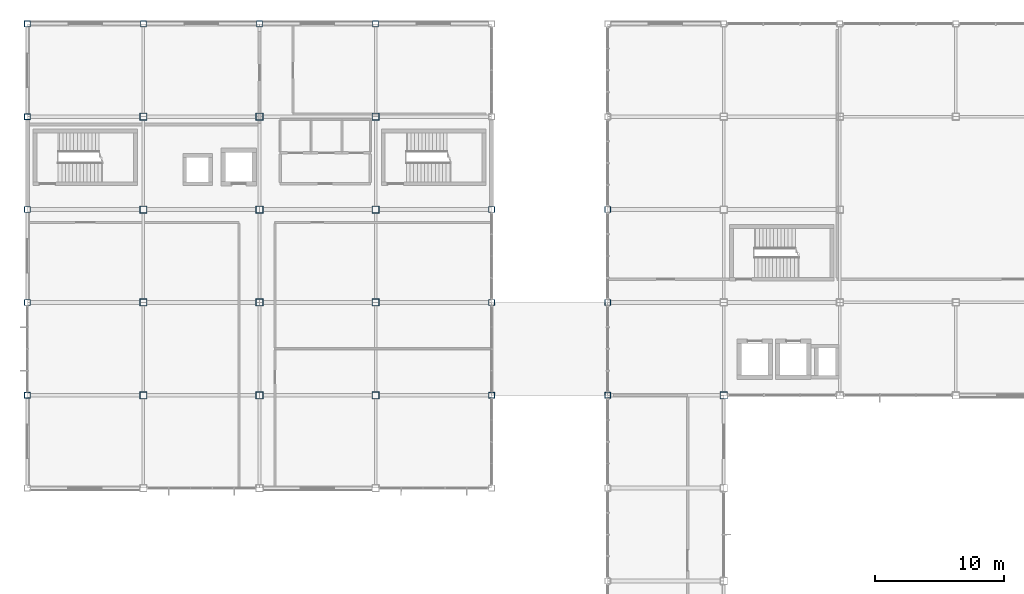
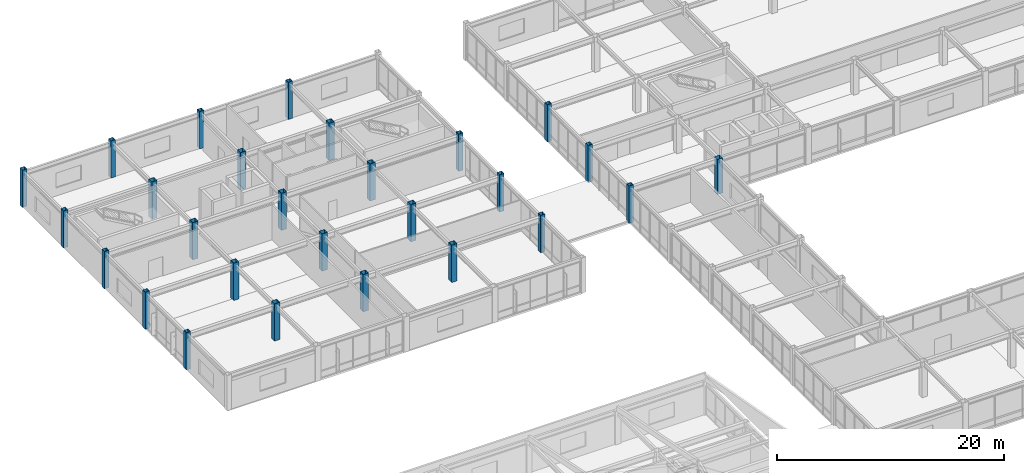
# One storey, part 7 of 113: 27 columns.
"""IFC4 building model written with IfcOpenShell, lengths in metres."""

from ifc_helpers import new_model, si_unit, direction, frame, origin, origin_2d, place, context, subcontext, project, spatial, hollow_rectangle, extrude, material, material_profile, profile_set, type_object, element, save


model = new_model("IFC4")

# Units and contexts
model_context = context("Model", 3, precision=1e-05, world=origin(), true_north=direction((0.0, 1.0)))
body_context = subcontext(model_context, "Body", "Model", "MODEL_VIEW")
ifc_project = project(units=[si_unit("LENGTHUNIT", "METRE"), si_unit("AREAUNIT", "SQUARE_METRE"), si_unit("VOLUMEUNIT", "CUBIC_METRE"), si_unit("PLANEANGLEUNIT", "RADIAN"), si_unit("MASSUNIT", "GRAM", prefix="KILO")], contexts=[model_context])

# Site, building, storey
site_placement = place(None, origin())
site = spatial("IfcSite", under=ifc_project, at=site_placement, CompositionType="ELEMENT")
building_placement = place(site_placement, origin())
building = spatial("IfcBuilding", under=site, at=building_placement, Name="Kazanami Central Library", CompositionType="ELEMENT")
storey_placement = place(building_placement, frame((0.0, 0.0, 8.800048828125)))
storey = spatial("IfcBuildingStorey", under=building, at=storey_placement, Name="L03", CompositionType="ELEMENT", Elevation=8.800048828125)

# Columns
ifc_material = material(Name="Steel BCP325 (325 MPa)", Category="steel")
ifc_material_profile_1 = material_profile(ifc_material, hollow_rectangle(XDim=0.449951171875, YDim=0.449951171875, WallThickness=0.01904296875, at=origin_2d()), Name="BCP-450x450x19")
ifc_profile_set_1 = profile_set([ifc_material_profile_1], Name="Steel BCP325 (325 MPa)")
column_type_1 = type_object("IfcColumnType", Name="COL-C-P2E", PredefinedType="COLUMN", material=ifc_profile_set_1)
for number, where, z_axis, x_axis, name in (
    (1, (0.0, 64.800048828125, 0.0), (0.0, 0.0, 1.0), (1.0, 0.0, 0.0), "Column C-P2E L03 1/K"),
    (2, (0.0, 72.0, 0.0), (0.0, 0.0, 1.0), (1.0, 0.0, 0.0), "Column C-P2E L03 1/L"),
    (3, (0.0, 79.199951171875, 0.0), (0.0, 0.0, 1.0), (1.0, 0.0, 0.0), "Column C-P2E L03 1/M"),
    (4, (0.0, 86.39990234375, 0.0), (0.0, 0.0, 1.0), (1.0, 0.0, 0.0), "Column C-P2E L03 1/N"),
    (5, (0.0, 93.60009765625, 0.0), (0.0, 0.0, 1.0), (1.0, 0.0, 0.0), "Column C-P2E L03 1/O"),
    (6, (9.0, 93.60009765625, 0.0), (0.0, 0.0, 1.0), (1.0, 0.0, 0.0), "Column C-P2E L03 2/O"),
    (7, (18.0, 93.60009765625, 0.0), (0.0, 0.0, 1.0), (1.0, 0.0, 0.0), "Column C-P2E L03 3/O"),
    (8, (27.0, 93.60009765625, 0.0), (0.0, 0.0, 1.0), (1.0, 0.0, 0.0), "Column C-P2E L03 4/O"),
    (9, (36.0, 64.800048828125, 0.0), (0.0, 0.0, 1.0), (1.0, 0.0, 0.0), "Column C-P2E L03 5/K"),
    (10, (36.0, 72.0, 0.0), (0.0, 0.0, 1.0), (1.0, 0.0, 0.0), "Column C-P2E L03 5/L"),
    (11, (36.0, 79.199951171875, 0.0), (0.0, 0.0, 1.0), (1.0, 0.0, 0.0), "Column C-P2E L03 5/M"),
    (12, (45.0, 64.800048828125, 0.0), (0.0, 0.0, 1.0), (1.0, 0.0, 0.0), "Column C-P2E L03 6/K"),
    (13, (45.0, 72.0, 0.0), (0.0, 0.0, 1.0), (1.0, 0.0, 0.0), "Column C-P2E L03 6/L"),
    (14, (45.0, 79.199951171875, 0.0), (0.0, 0.0, 1.0), (1.0, 0.0, 0.0), "Column C-P2E L03 6/M"),
):
    element("IfcColumn", number, at=place(storey_placement, frame(where, z_axis=z_axis, x_axis=x_axis)), inside=storey, type_object=column_type_1, Name=name, PredefinedType="COLUMN", context=body_context, shape_type="SweptSolid", body=[
        extrude(hollow_rectangle(XDim=0.449951171875, YDim=0.449951171875, WallThickness=0.01904296875, at=origin_2d()), origin(), (0.0, 0.0, 1.0), 4.0),
    ])
ifc_material_profile_2 = material_profile(ifc_material, hollow_rectangle(XDim=0.550048828125, YDim=0.550048828125, WallThickness=0.02197265625, at=origin_2d()), Name="BCP-550x550x22")
ifc_profile_set_2 = profile_set([ifc_material_profile_2], Name="Steel BCP325 (325 MPa)")
column_type_2 = type_object("IfcColumnType", Name="COL-C-P2I", PredefinedType="COLUMN", material=ifc_profile_set_2)
for number, where, z_axis, x_axis, name in (
    (15, (9.0, 64.800048828125, 0.0), (0.0, 0.0, 1.0), (1.0, 0.0, 0.0), "Column C-P2I L03 2/K"),
    (16, (9.0, 72.0, 0.0), (0.0, 0.0, 1.0), (1.0, 0.0, 0.0), "Column C-P2I L03 2/L"),
    (17, (9.0, 79.199951171875, 0.0), (0.0, 0.0, 1.0), (1.0, 0.0, 0.0), "Column C-P2I L03 2/M"),
    (18, (9.0, 86.39990234375, 0.0), (0.0, 0.0, 1.0), (1.0, 0.0, 0.0), "Column C-P2I L03 2/N"),
    (19, (18.0, 64.800048828125, 0.0), (0.0, 0.0, 1.0), (1.0, 0.0, 0.0), "Column C-P2I L03 3/K"),
    (20, (18.0, 72.0, 0.0), (0.0, 0.0, 1.0), (1.0, 0.0, 0.0), "Column C-P2I L03 3/L"),
    (21, (18.0, 79.199951171875, 0.0), (0.0, 0.0, 1.0), (1.0, 0.0, 0.0), "Column C-P2I L03 3/M"),
    (22, (18.0, 86.39990234375, 0.0), (0.0, 0.0, 1.0), (1.0, 0.0, 0.0), "Column C-P2I L03 3/N"),
    (23, (27.0, 64.800048828125, 0.0), (0.0, 0.0, 1.0), (1.0, 0.0, 0.0), "Column C-P2I L03 4/K"),
    (24, (27.0, 72.0, 0.0), (0.0, 0.0, 1.0), (1.0, 0.0, 0.0), "Column C-P2I L03 4/L"),
    (25, (27.0, 79.199951171875, 0.0), (0.0, 0.0, 1.0), (1.0, 0.0, 0.0), "Column C-P2I L03 4/M"),
    (26, (27.0, 86.39990234375, 0.0), (0.0, 0.0, 1.0), (1.0, 0.0, 0.0), "Column C-P2I L03 4/N"),
):
    element("IfcColumn", number, at=place(storey_placement, frame(where, z_axis=z_axis, x_axis=x_axis)), inside=storey, type_object=column_type_2, Name=name, PredefinedType="COLUMN", context=body_context, shape_type="SweptSolid", body=[
        extrude(hollow_rectangle(XDim=0.550048828125, YDim=0.550048828125, WallThickness=0.02197265625, at=origin_2d()), origin(), (0.0, 0.0, 1.0), 4.0),
    ])
column_placement = place(storey_placement, frame((54.0, 64.800048828125, 0.0), z_axis=(0.0, 0.0, 1.0), x_axis=(1.0, 0.0, 0.0)))
element("IfcColumn", 27, at=column_placement, inside=storey, type_object=column_type_2, Name="Column C-P2I L03 7/K", PredefinedType="COLUMN", context=body_context, shape_type="SweptSolid", body=[
    extrude(hollow_rectangle(XDim=0.550048828125, YDim=0.550048828125, WallThickness=0.02197265625, at=origin_2d()), origin(), (0.0, 0.0, 1.0), 3.744873046875),
])

save(model, "model.ifc")
